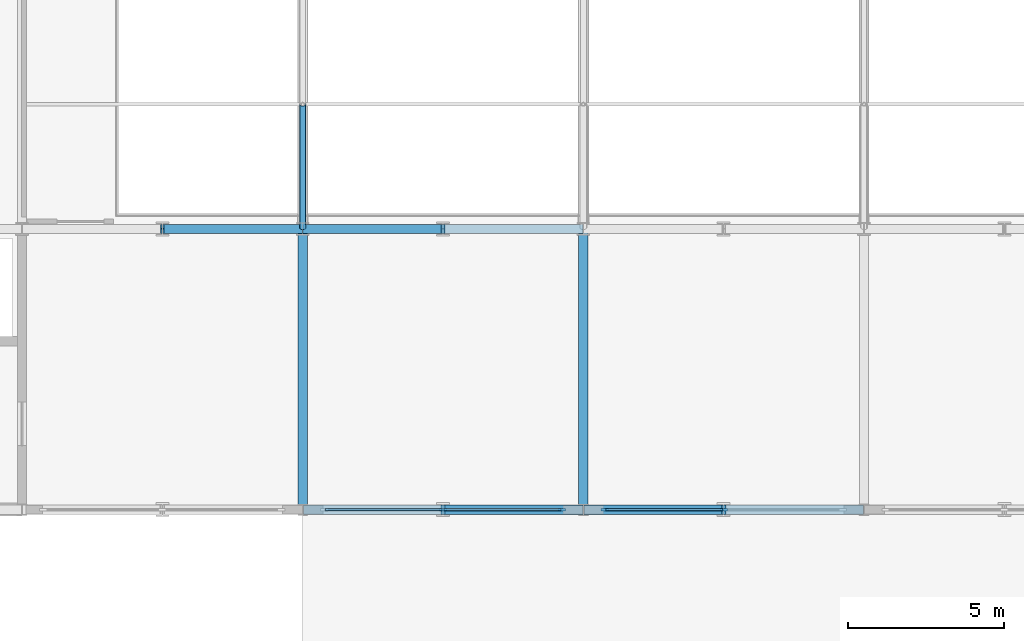
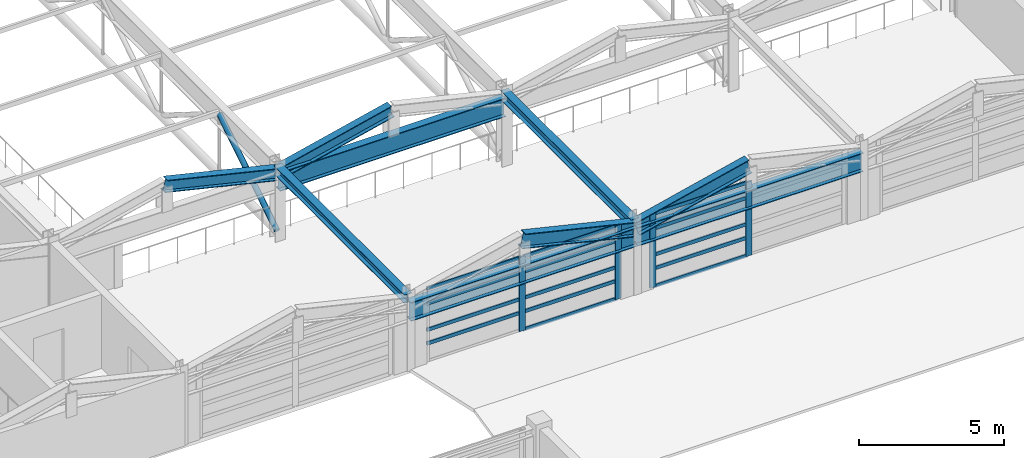
# One storey, part 24 of 91: 19 members, 9 beams, 2 elements without a shape of their own.
"""IFC4 building model written with IfcOpenShell, lengths in metres."""

from ifc_helpers import new_model, si_unit, direction, frame, origin, origin_2d, place, context, subcontext, project, spatial, rectangle, hollow_circle, i_section, extrude, material, material_profile, profile_set, type_object, element, aggregate, save


model = new_model("IFC4")

# Units and contexts
model_context = context("Model", 3, precision=1e-05, world=origin(), true_north=direction((0.0, 1.0)))
body_context = subcontext(model_context, "Body", "Model", "MODEL_VIEW")
ifc_project = project(units=[si_unit("LENGTHUNIT", "METRE"), si_unit("AREAUNIT", "SQUARE_METRE"), si_unit("VOLUMEUNIT", "CUBIC_METRE"), si_unit("PLANEANGLEUNIT", "RADIAN"), si_unit("MASSUNIT", "GRAM", prefix="KILO")], contexts=[model_context])

# Site, building, storey
site_placement = place(None, origin())
site = spatial("IfcSite", under=ifc_project, at=site_placement, CompositionType="ELEMENT")
building_placement = place(site_placement, origin())
building = spatial("IfcBuilding", under=site, at=building_placement, Name="Palais des Congres Ocreval", CompositionType="ELEMENT")
storey_placement = place(building_placement, frame((0.0, 0.0, 8.159912109375)))
storey = spatial("IfcBuildingStorey", under=building, at=storey_placement, Name="L02", CompositionType="ELEMENT", Elevation=8.159912109375)

# Curtain wall, members
ifc_material_1 = material(Name="Anodized bronze aluminium and low-E glass", Category="glass")
curtain_wall_type = type_object("IfcCurtainWallType", Name="Unitised Curtain Wall 7900x3120", PredefinedType="USERDEFINED", material=ifc_material_1)
curtain_wall_1_placement = place(storey_placement, origin())
curtain_wall_1 = element("IfcCurtainWall", 1, at=curtain_wall_1_placement, inside=storey, type_object=curtain_wall_type, Name="Unitised Curtain Wall CW03 L02", ObjectType="UNITISED CURTAIN WALL", PredefinedType="USERDEFINED")
ifc_material_2 = material(Name="Anodized bronze aluminium", Category="aluminium")
ifc_material_profile_1 = material_profile(ifc_material_2, rectangle(XDim=0.074951171875, YDim=0.239990234375, at=origin_2d()), Name="ALU 75x240")
ifc_profile_set_1 = profile_set([ifc_material_profile_1], Name="Anodized bronze aluminium")
member_type_1 = type_object("IfcMemberType", Name="Curtain Wall Mullion ALU 75x240", PredefinedType="MULLION", material=ifc_profile_set_1)
member_1_placement = place(storey_placement, frame((31.5, 81.0, 0.0), z_axis=(0.0, 0.0, 1.0), x_axis=(0.0, -1.0, 0.0)))
member_1 = element("IfcMember", 2, at=member_1_placement, type_object=member_type_1, Name="Curtain Wall Mullion ML01", PredefinedType="MULLION", context=body_context, shape_type="SweptSolid", body=[
    extrude(rectangle(XDim=0.074951171875, YDim=0.239990234375, at=origin_2d()), origin(), (0.0, 0.0, 1.0), 3.110107421875),
])
member_2_placement = place(storey_placement, frame((27.6875, 81.0, 0.0), z_axis=(0.0, 0.0, 1.0), x_axis=(0.0, -1.0, 0.0)))
member_2 = element("IfcMember", 3, at=member_2_placement, type_object=member_type_1, Name="Curtain Wall Mullion ML01", PredefinedType="MULLION", context=body_context, shape_type="SweptSolid", body=[
    extrude(rectangle(XDim=0.074951171875, YDim=0.239990234375, at=origin_2d()), origin(), (0.0, 0.0, 1.0), 3.110107421875),
])

curtain_wall_2_placement = place(storey_placement, origin())
curtain_wall_2 = element("IfcCurtainWall", 4, at=curtain_wall_2_placement, inside=storey, type_object=curtain_wall_type, Name="Unitised Curtain Wall CW03 L02", ObjectType="UNITISED CURTAIN WALL", PredefinedType="USERDEFINED")
member_3_placement = place(storey_placement, frame((26.3125, 81.0, 0.0), z_axis=(0.0, 0.0, 1.0), x_axis=(0.0, -1.0, 0.0)))
member_3 = element("IfcMember", 5, at=member_3_placement, type_object=member_type_1, Name="Curtain Wall Mullion ML01", PredefinedType="MULLION", context=body_context, shape_type="SweptSolid", body=[
    extrude(rectangle(XDim=0.074951171875, YDim=0.239990234375, at=origin_2d()), origin(), (0.0, 0.0, 1.0), 3.110107421875),
])
member_4_placement = place(storey_placement, frame((22.5, 81.0, 0.0), z_axis=(0.0, 0.0, 1.0), x_axis=(0.0, -1.0, 0.0)))
member_4 = element("IfcMember", 6, at=member_4_placement, type_object=member_type_1, Name="Curtain Wall Mullion ML01", PredefinedType="MULLION", context=body_context, shape_type="SweptSolid", body=[
    extrude(rectangle(XDim=0.074951171875, YDim=0.239990234375, at=origin_2d()), origin(), (0.0, 0.0, 1.0), 3.110107421875),
])

# Member
ifc_material_profile_2 = material_profile(ifc_material_2, rectangle(XDim=0.06005859375, YDim=0.14990234375, at=origin_2d()), Name="ALU 60x150")
ifc_profile_set_2 = profile_set([ifc_material_profile_2], Name="Anodized bronze aluminium")
member_type_2 = type_object("IfcMemberType", Name="Curtain Wall Transom ALU 60x150", PredefinedType="USERDEFINED", material=ifc_profile_set_2)
member_5_placement = place(storey_placement, frame((31.46240234375, 81.0, 0.030029296875), z_axis=(-1.0, 0.0, 0.0), x_axis=(0.0, -1.0, 0.0)))
member_5 = element("IfcMember", 7, at=member_5_placement, type_object=member_type_2, Name="Curtain Wall Transom TR01", ObjectType="TRANSOM", PredefinedType="USERDEFINED", context=body_context, shape_type="SweptSolid", body=[
    extrude(rectangle(XDim=0.06005859375, YDim=0.14990234375, at=origin_2d()), origin(), (0.0, 0.0, 1.0), 3.7373046875),
])

member_6_placement = place(storey_placement, frame((31.46240234375, 81.0, 0.780029296875), z_axis=(-1.0, 0.0, 0.0), x_axis=(0.0, -1.0, 0.0)))
member_6 = element("IfcMember", 8, at=member_6_placement, type_object=member_type_2, Name="Curtain Wall Transom TR01", ObjectType="TRANSOM", PredefinedType="USERDEFINED", context=body_context, shape_type="SweptSolid", body=[
    extrude(rectangle(XDim=0.06005859375, YDim=0.14990234375, at=origin_2d()), origin(), (0.0, 0.0, 1.0), 3.7373046875),
])

member_7_placement = place(storey_placement, frame((31.46240234375, 81.0, 1.35302734375), z_axis=(-1.0, 0.0, 0.0), x_axis=(0.0, -1.0, 0.0)))
member_7 = element("IfcMember", 9, at=member_7_placement, type_object=member_type_2, Name="Curtain Wall Transom TR01", ObjectType="TRANSOM", PredefinedType="USERDEFINED", context=body_context, shape_type="SweptSolid", body=[
    extrude(rectangle(XDim=0.06005859375, YDim=0.14990234375, at=origin_2d()), origin(), (0.0, 0.0, 1.0), 3.7373046875),
])

member_8_placement = place(storey_placement, frame((31.46240234375, 81.0, 2.460205078125), z_axis=(-1.0, 0.0, 0.0), x_axis=(0.0, -1.0, 0.0)))
member_8 = element("IfcMember", 10, at=member_8_placement, type_object=member_type_2, Name="Curtain Wall Transom TR01", ObjectType="TRANSOM", PredefinedType="USERDEFINED", context=body_context, shape_type="SweptSolid", body=[
    extrude(rectangle(XDim=0.06005859375, YDim=0.14990234375, at=origin_2d()), origin(), (0.0, 0.0, 1.0), 3.7373046875),
])

member_9_placement = place(storey_placement, frame((31.46240234375, 81.0, 3.080078125), z_axis=(-1.0, 0.0, 0.0), x_axis=(0.0, -1.0, 0.0)))
member_9 = element("IfcMember", 11, at=member_9_placement, type_object=member_type_2, Name="Curtain Wall Transom TR01", ObjectType="TRANSOM", PredefinedType="USERDEFINED", context=body_context, shape_type="SweptSolid", body=[
    extrude(rectangle(XDim=0.06005859375, YDim=0.14990234375, at=origin_2d()), origin(), (0.0, 0.0, 1.0), 3.7373046875),
])

aggregate(curtain_wall_1, [member_1, member_2, member_5, member_6, member_7, member_8, member_9])

member_10_placement = place(storey_placement, frame((26.27490234375, 81.0, 0.030029296875), z_axis=(-1.0, 0.0, 0.0), x_axis=(0.0, -1.0, 0.0)))
member_10 = element("IfcMember", 12, at=member_10_placement, type_object=member_type_2, Name="Curtain Wall Transom TR01", ObjectType="TRANSOM", PredefinedType="USERDEFINED", context=body_context, shape_type="SweptSolid", body=[
    extrude(rectangle(XDim=0.06005859375, YDim=0.14990234375, at=origin_2d()), origin(), (0.0, 0.0, 1.0), 3.7373046875),
])

member_11_placement = place(storey_placement, frame((26.27490234375, 81.0, 0.780029296875), z_axis=(-1.0, 0.0, 0.0), x_axis=(0.0, -1.0, 0.0)))
member_11 = element("IfcMember", 13, at=member_11_placement, type_object=member_type_2, Name="Curtain Wall Transom TR01", ObjectType="TRANSOM", PredefinedType="USERDEFINED", context=body_context, shape_type="SweptSolid", body=[
    extrude(rectangle(XDim=0.06005859375, YDim=0.14990234375, at=origin_2d()), origin(), (0.0, 0.0, 1.0), 3.7373046875),
])

member_12_placement = place(storey_placement, frame((26.27490234375, 81.0, 1.35302734375), z_axis=(-1.0, 0.0, 0.0), x_axis=(0.0, -1.0, 0.0)))
member_12 = element("IfcMember", 14, at=member_12_placement, type_object=member_type_2, Name="Curtain Wall Transom TR01", ObjectType="TRANSOM", PredefinedType="USERDEFINED", context=body_context, shape_type="SweptSolid", body=[
    extrude(rectangle(XDim=0.06005859375, YDim=0.14990234375, at=origin_2d()), origin(), (0.0, 0.0, 1.0), 3.7373046875),
])

member_13_placement = place(storey_placement, frame((26.27490234375, 81.0, 2.460205078125), z_axis=(-1.0, 0.0, 0.0), x_axis=(0.0, -1.0, 0.0)))
member_13 = element("IfcMember", 15, at=member_13_placement, type_object=member_type_2, Name="Curtain Wall Transom TR01", ObjectType="TRANSOM", PredefinedType="USERDEFINED", context=body_context, shape_type="SweptSolid", body=[
    extrude(rectangle(XDim=0.06005859375, YDim=0.14990234375, at=origin_2d()), origin(), (0.0, 0.0, 1.0), 3.7373046875),
])

member_14_placement = place(storey_placement, frame((26.27490234375, 81.0, 3.080078125), z_axis=(-1.0, 0.0, 0.0), x_axis=(0.0, -1.0, 0.0)))
member_14 = element("IfcMember", 16, at=member_14_placement, type_object=member_type_2, Name="Curtain Wall Transom TR01", ObjectType="TRANSOM", PredefinedType="USERDEFINED", context=body_context, shape_type="SweptSolid", body=[
    extrude(rectangle(XDim=0.06005859375, YDim=0.14990234375, at=origin_2d()), origin(), (0.0, 0.0, 1.0), 3.7373046875),
])

member_15_placement = place(storey_placement, frame((22.46240234375, 81.0, 0.780029296875), z_axis=(-1.0, 0.0, 0.0), x_axis=(0.0, -1.0, 0.0)))
member_15 = element("IfcMember", 17, at=member_15_placement, type_object=member_type_2, Name="Curtain Wall Transom TR01", ObjectType="TRANSOM", PredefinedType="USERDEFINED", context=body_context, shape_type="SweptSolid", body=[
    extrude(rectangle(XDim=0.06005859375, YDim=0.14990234375, at=origin_2d()), origin(), (0.0, 0.0, 1.0), 3.7373046875),
])

member_16_placement = place(storey_placement, frame((22.46240234375, 81.0, 1.35302734375), z_axis=(-1.0, 0.0, 0.0), x_axis=(0.0, -1.0, 0.0)))
member_16 = element("IfcMember", 18, at=member_16_placement, type_object=member_type_2, Name="Curtain Wall Transom TR01", ObjectType="TRANSOM", PredefinedType="USERDEFINED", context=body_context, shape_type="SweptSolid", body=[
    extrude(rectangle(XDim=0.06005859375, YDim=0.14990234375, at=origin_2d()), origin(), (0.0, 0.0, 1.0), 3.7373046875),
])

member_17_placement = place(storey_placement, frame((22.46240234375, 81.0, 2.460205078125), z_axis=(-1.0, 0.0, 0.0), x_axis=(0.0, -1.0, 0.0)))
member_17 = element("IfcMember", 19, at=member_17_placement, type_object=member_type_2, Name="Curtain Wall Transom TR01", ObjectType="TRANSOM", PredefinedType="USERDEFINED", context=body_context, shape_type="SweptSolid", body=[
    extrude(rectangle(XDim=0.06005859375, YDim=0.14990234375, at=origin_2d()), origin(), (0.0, 0.0, 1.0), 3.7373046875),
])

member_18_placement = place(storey_placement, frame((22.46240234375, 81.0, 3.080078125), z_axis=(-1.0, 0.0, 0.0), x_axis=(0.0, -1.0, 0.0)))
member_18 = element("IfcMember", 20, at=member_18_placement, type_object=member_type_2, Name="Curtain Wall Transom TR01", ObjectType="TRANSOM", PredefinedType="USERDEFINED", context=body_context, shape_type="SweptSolid", body=[
    extrude(rectangle(XDim=0.06005859375, YDim=0.14990234375, at=origin_2d()), origin(), (0.0, 0.0, 1.0), 3.7373046875),
])

aggregate(curtain_wall_2, [member_3, member_4, member_10, member_11, member_12, member_13, member_14, member_15, member_16, member_17, member_18])

ifc_material_3 = material(Name="Steel S355", Category="steel")
ifc_material_profile_3 = material_profile(ifc_material_3, hollow_circle(Radius=0.109619140625, WallThickness=0.012451171875, at=origin_2d()), Name="CHS 219.1x12.5")
ifc_profile_set_3 = profile_set([ifc_material_profile_3], Name="Steel S355")
member_type_3 = type_object("IfcMemberType", Name="Diagonal Brace CHS 219.1x12.5 Steel S355", PredefinedType="BRACE", material=ifc_profile_set_3)
member_19_placement = place(storey_placement, frame((18.0, 90.0400390625, 0.2900390625), z_axis=(0.0, 0.845587991701, 0.533836068743), x_axis=(-1.0, 0.0, 0.0)))
element("IfcMember", 21, at=member_19_placement, inside=storey, type_object=member_type_3, Name="ROOF TRUSS Diagonal V1-18-1", PredefinedType="BRACE", context=body_context, shape_type="SweptSolid", body=[
    extrude(hollow_circle(Radius=0.109619140625, WallThickness=0.012451171875, at=origin_2d()), origin(), (0.0, 0.0, 1.0), 4.68310546875),
])

# Beams
ifc_material_profile_4 = material_profile(ifc_material_3, i_section(OverallWidth=0.300048828125, OverallDepth=0.7900390625, WebThickness=0.014892578125, FlangeThickness=0.028076171875, at=origin_2d()), Name="HEA 800")
ifc_profile_set_4 = profile_set([ifc_material_profile_4], Name="Steel S355")
beam_type_1 = type_object("IfcBeamType", Name="Long-Span Girder HEA 800 Steel S355", PredefinedType="BEAM", material=ifc_profile_set_4)
for number, where, z_axis, x_axis, name in (
    (22, (18.02001953125, 81.0, 2.43017578125), (1.0, 0.0, 0.0), (0.0, 1.0, 0.0), "Beam B15 L02"),
    (23, (18.02001953125, 90.0, 2.43017578125), (1.0, 0.0, 0.0), (0.0, 1.0, 0.0), "Beam B15 L02"),
    (24, (27.02001953125, 81.0, 2.43017578125), (1.0, 0.0, 0.0), (0.0, 1.0, 0.0), "Beam B15 L02"),
):
    element("IfcBeam", number, at=place(storey_placement, frame(where, z_axis=z_axis, x_axis=x_axis)), inside=storey, type_object=beam_type_1, Name=name, PredefinedType="BEAM", context=body_context, shape_type="SweptSolid", body=[
        extrude(i_section(OverallWidth=0.300048828125, OverallDepth=0.7900390625, WebThickness=0.014892578125, FlangeThickness=0.028076171875, at=origin_2d()), origin(), (0.0, 0.0, 1.0), 8.9599609375),
    ])
ifc_material_profile_5 = material_profile(ifc_material_3, i_section(OverallWidth=0.300048828125, OverallDepth=0.360107421875, WebThickness=0.012451171875, FlangeThickness=0.0224609375, at=origin_2d()), Name="HEB 360")
ifc_profile_set_5 = profile_set([ifc_material_profile_5], Name="Steel S355")
beam_type_2 = type_object("IfcBeamType", Name="Perimeter Spandrel HEB 360 Steel S355", PredefinedType="SPANDREL", material=ifc_profile_set_5)
beam_1_placement = place(storey_placement, frame((18.0, 81.02001953125, 2.920166015625), z_axis=(0.0, 1.0, 0.0), x_axis=(-1.0, 0.0, 0.0)))
element("IfcBeam", 25, at=beam_1_placement, inside=storey, type_object=beam_type_2, Name="Girder SP03 L02", PredefinedType="SPANDREL", context=body_context, shape_type="SweptSolid", body=[
    extrude(i_section(OverallWidth=0.300048828125, OverallDepth=0.360107421875, WebThickness=0.012451171875, FlangeThickness=0.0224609375, at=origin_2d()), origin(), (0.0, 0.0, 1.0), 8.9599609375),
])
ifc_material_profile_6 = material_profile(ifc_material_3, i_section(OverallWidth=0.300048828125, OverallDepth=0.389892578125, WebThickness=0.010986328125, FlangeThickness=0.01904296875, at=origin_2d()), Name="HEA 400")
ifc_profile_set_6 = profile_set([ifc_material_profile_6], Name="Steel S355")
beam_type_3 = type_object("IfcBeamType", Name="Primary Beam HEA 400 Steel S355", PredefinedType="BEAM", material=ifc_profile_set_6)
beam_2_placement = place(storey_placement, frame((27.0, 81.02001953125, 2.905029296875), z_axis=(0.0, 1.0, 0.0), x_axis=(-1.0, 0.0, 0.0)))
element("IfcBeam", 26, at=beam_2_placement, inside=storey, type_object=beam_type_3, Name="Girder B10 L02", PredefinedType="BEAM", context=body_context, shape_type="SweptSolid", body=[
    extrude(i_section(OverallWidth=0.300048828125, OverallDepth=0.389892578125, WebThickness=0.010986328125, FlangeThickness=0.01904296875, at=origin_2d()), origin(), (0.0, 0.0, 1.0), 8.9599609375),
])
ifc_material_profile_7 = material_profile(ifc_material_3, i_section(OverallWidth=0.300048828125, OverallDepth=0.5, WebThickness=0.014404296875, FlangeThickness=0.028076171875, at=origin_2d()), Name="HEB 500")
ifc_profile_set_7 = profile_set([ifc_material_profile_7], Name="Steel S355")
beam_type_4 = type_object("IfcBeamType", Name="ROOF TRUSS Rafter HEB 500 Steel S355", PredefinedType="BEAM", material=ifc_profile_set_7)
for number, where, z_axis, x_axis, name in (
    (27, (13.5, 90.0, 3.820068359375), (0.972896426025, 0.0, -0.231241311682), (0.0, 1.0, 0.0), "ROOF TRUSS Folded Rafter RFB1"),
    (28, (18.0400390625, 90.0, 2.760009765625), (0.972896426025, 0.0, 0.231241311682), (0.0, 1.0, 0.0), "ROOF TRUSS Folded Rafter RFB1"),
):
    element("IfcBeam", number, at=place(storey_placement, frame(where, z_axis=z_axis, x_axis=x_axis)), inside=storey, type_object=beam_type_4, Name=name, PredefinedType="BEAM", context=body_context, shape_type="SweptSolid", body=[
        extrude(i_section(OverallWidth=0.300048828125, OverallDepth=0.5, WebThickness=0.014404296875, FlangeThickness=0.028076171875, at=origin_2d()), origin(), (0.0, 0.0, 1.0), 4.584228515625),
    ])
ifc_material_profile_8 = material_profile(ifc_material_3, i_section(OverallWidth=0.300048828125, OverallDepth=0.60009765625, WebThickness=0.015380859375, FlangeThickness=0.030029296875, at=origin_2d()), Name="HEB 600")
ifc_profile_set_8 = profile_set([ifc_material_profile_8], Name="Steel S355")
beam_type_5 = type_object("IfcBeamType", Name="ROOF TRUSS Rafter HEB 600 Steel S355", PredefinedType="BEAM", material=ifc_profile_set_8)
for number, where, z_axis, x_axis, name in (
    (29, (22.5, 81.0, 3.820068359375), (0.972896426025, 0.0, -0.231241311682), (0.0, 1.0, 0.0), "ROOF TRUSS Folded Rafter RFB2"),
    (30, (27.0400390625, 81.0, 2.760009765625), (0.972896426025, 0.0, 0.231241311682), (0.0, 1.0, 0.0), "ROOF TRUSS Folded Rafter RFB2"),
):
    element("IfcBeam", number, at=place(storey_placement, frame(where, z_axis=z_axis, x_axis=x_axis)), inside=storey, type_object=beam_type_5, Name=name, PredefinedType="BEAM", context=body_context, shape_type="SweptSolid", body=[
        extrude(i_section(OverallWidth=0.300048828125, OverallDepth=0.60009765625, WebThickness=0.015380859375, FlangeThickness=0.030029296875, at=origin_2d()), origin(), (0.0, 0.0, 1.0), 4.584228515625),
    ])

save(model, "model.ifc")
